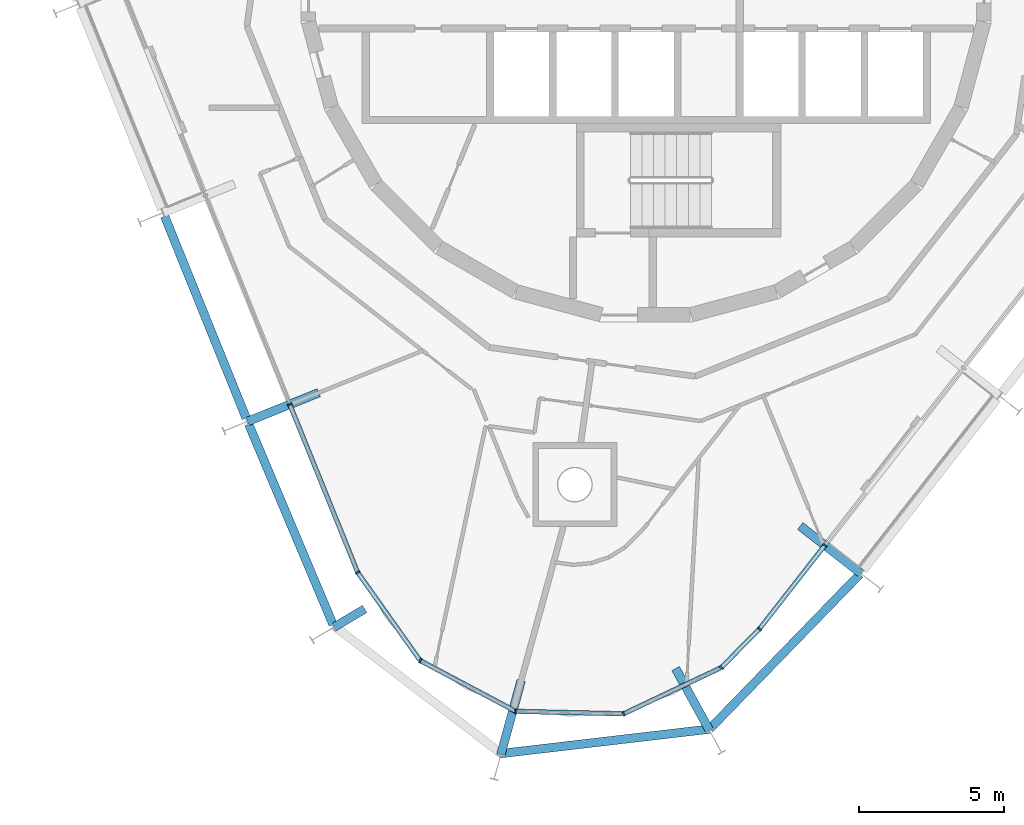
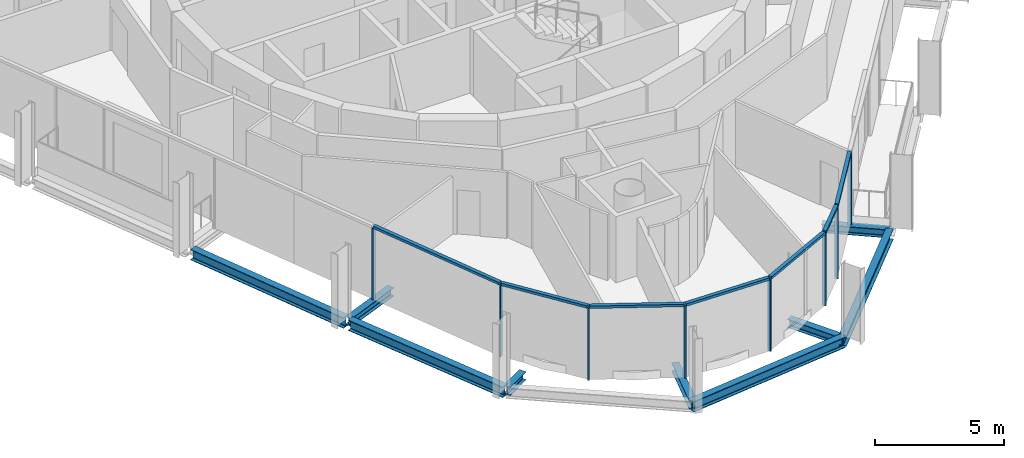
# One storey, part 2 of 15: 15 members, 9 beams, 2 elements without a shape of their own.
"""IFC4 building model written with IfcOpenShell, lengths in metres."""

from ifc_helpers import new_model, si_unit, direction, frame, origin, origin_2d, place, context, subcontext, project, spatial, rectangle, i_section, extrude, material, layer, layer_set, material_profile, profile_set, type_object, element, aggregate, save


model = new_model("IFC4")

# Units and contexts
model_context = context("Model", 3, precision=1e-05, world=origin(), true_north=direction((0.0, 1.0)))
body_context = subcontext(model_context, "Body", "Model", "MODEL_VIEW")
ifc_project = project(units=[si_unit("LENGTHUNIT", "METRE"), si_unit("AREAUNIT", "SQUARE_METRE"), si_unit("VOLUMEUNIT", "CUBIC_METRE"), si_unit("PLANEANGLEUNIT", "RADIAN"), si_unit("MASSUNIT", "GRAM", prefix="KILO")], contexts=[model_context])

# Site, building, storey
site_placement = place(None, origin())
site = spatial("IfcSite", under=ifc_project, at=site_placement, CompositionType="ELEMENT")
building_placement = place(site_placement, origin())
building = spatial("IfcBuilding", under=site, at=building_placement, Name="Spindle Arch Residences", CompositionType="ELEMENT")
storey_placement = place(building_placement, frame((0.0, 0.0, 354.0)))
storey = spatial("IfcBuildingStorey", under=building, at=storey_placement, Name="L91", CompositionType="ELEMENT", Elevation=354.0)

# Curtain wall, members
ifc_material_1 = material(Name="Aluminium bronze unitised frame with tinted glass", Category="aluminium")
ifc_layer_1 = layer(ifc_material_1, 0.159912109375)
ifc_layer_set_1 = layer_set([ifc_layer_1], Name="CW-D corner wall on the fillet arcs")
curtain_wall_type_1 = type_object("IfcCurtainWallType", Name="CW-D corner wall on the fillet arcs", PredefinedType="NOTDEFINED", material=ifc_layer_set_1)
curtain_wall_1_placement = place(storey_placement, origin())
curtain_wall_1 = element("IfcCurtainWall", 1, at=curtain_wall_1_placement, inside=storey, type_object=curtain_wall_type_1, Name="CW-D L91 run 5", PredefinedType="NOTDEFINED")
ifc_material_2 = material(Name="Aluminium bronze anodised mullion", Category="aluminium")
ifc_material_profile_1 = material_profile(ifc_material_2, rectangle(XDim=0.159912109375, YDim=0.06005859375, at=origin_2d()), Name="MU 60x160")
ifc_profile_set_1 = profile_set([ifc_material_profile_1], Name="Aluminium bronze anodised mullion")
member_type_1 = type_object("IfcMemberType", Name="Bronze mullion 60x160", PredefinedType="MULLION", material=ifc_profile_set_1)
member_1_placement = place(storey_placement, frame((-12.292724609375, -14.73779296875, -0.3798828125), z_axis=(0.0, 0.0, 1.0), x_axis=(0.927183854567, 0.374606593416, 0.0)))
member_1 = element("IfcMember", 2, at=member_1_placement, type_object=member_type_1, Name="CW-D mullion 00", PredefinedType="MULLION", context=body_context, shape_type="SweptSolid", body=[
    extrude(rectangle(XDim=0.159912109375, YDim=0.06005859375, at=origin_2d()), origin(), (0.0, 0.0, 1.0), 3.3798828125),
])
member_2_placement = place(storey_placement, frame((-9.951904296875, -20.53173828125, -0.3798828125), z_axis=(0.0, 0.0, 1.0), x_axis=(0.815801266332, 0.578332338584, 0.0)))
member_2 = element("IfcMember", 3, at=member_2_placement, type_object=member_type_1, Name="CW-D mullion 01", PredefinedType="MULLION", context=body_context, shape_type="SweptSolid", body=[
    extrude(rectangle(XDim=0.159912109375, YDim=0.06005859375, at=origin_2d()), origin(), (0.0, 0.0, 1.0), 3.3798828125),
])
member_3_placement = place(storey_placement, frame((-7.79638671875, -23.572021484375, -0.3798828125), z_axis=(0.0, 0.0, 1.0), x_axis=(0.469471563633, 0.882947592408, 0.0)))
member_3 = element("IfcMember", 4, at=member_3_placement, type_object=member_type_1, Name="CW-D mullion 02", PredefinedType="MULLION", context=body_context, shape_type="SweptSolid", body=[
    extrude(rectangle(XDim=0.159912109375, YDim=0.06005859375, at=origin_2d()), origin(), (0.0, 0.0, 1.0), 3.3798828125),
])
member_4_placement = place(storey_placement, frame((-4.505859375, -25.321533203125, -0.3798828125), z_axis=(0.0, 0.0, 1.0), x_axis=(0.023268959422, 0.999729241109, 0.0)))
member_4 = element("IfcMember", 5, at=member_4_placement, type_object=member_type_1, Name="CW-D mullion 03", PredefinedType="MULLION", context=body_context, shape_type="SweptSolid", body=[
    extrude(rectangle(XDim=0.159912109375, YDim=0.06005859375, at=origin_2d()), origin(), (0.0, 0.0, 1.0), 3.3798828125),
])
member_5_placement = place(storey_placement, frame((-0.7802734375, -25.408203125, -0.3798828125), z_axis=(0.0, 0.0, 1.0), x_axis=(-0.427883767902, 0.903833768547, 0.0)))
member_5 = element("IfcMember", 6, at=member_5_placement, type_object=member_type_1, Name="CW-D mullion 04", PredefinedType="MULLION", context=body_context, shape_type="SweptSolid", body=[
    extrude(rectangle(XDim=0.159912109375, YDim=0.06005859375, at=origin_2d()), origin(), (0.0, 0.0, 1.0), 3.3798828125),
])
member_6_placement = place(storey_placement, frame((2.588134765625, -23.813720703125, -0.3798828125), z_axis=(0.0, 0.0, 1.0), x_axis=(-0.711208575748, 0.702981053644, 0.0)))
member_6 = element("IfcMember", 7, at=member_6_placement, type_object=member_type_1, Name="CW-D mullion 05", PredefinedType="MULLION", context=body_context, shape_type="SweptSolid", body=[
    extrude(rectangle(XDim=0.159912109375, YDim=0.06005859375, at=origin_2d()), origin(), (0.0, 0.0, 1.0), 3.3798828125),
])
member_7_placement = place(storey_placement, frame((3.906982421875, -22.479248046875, -0.3798828125), z_axis=(0.0, 0.0, 1.0), x_axis=(-0.788010753607, 0.615661475326, 0.0)))
member_7 = element("IfcMember", 8, at=member_7_placement, type_object=member_type_1, Name="CW-D mullion 06", PredefinedType="MULLION", context=body_context, shape_type="SweptSolid", body=[
    extrude(rectangle(XDim=0.159912109375, YDim=0.06005859375, at=origin_2d()), origin(), (0.0, 0.0, 1.0), 3.3798828125),
])

# Curtain wall, member
ifc_material_3 = material(Name="Aluminium bronze unitised frame with tinted glass", Category="aluminium")
ifc_layer_2 = layer(ifc_material_3, 0.159912109375)
ifc_layer_set_2 = layer_set([ifc_layer_2], Name="CW-C typical residential unitised wall")
curtain_wall_type_2 = type_object("IfcCurtainWallType", Name="CW-C typical residential unitised wall", PredefinedType="NOTDEFINED", material=ifc_layer_set_2)
curtain_wall_2_placement = place(storey_placement, origin())
curtain_wall_2 = element("IfcCurtainWall", 9, at=curtain_wall_2_placement, inside=storey, type_object=curtain_wall_type_2, Name="CW-C L91 run 6", PredefinedType="NOTDEFINED")
member_8_placement = place(storey_placement, frame((6.160400390625, -19.594970703125, -0.3798828125), z_axis=(0.0, 0.0, 1.0), x_axis=(-0.788010753607, 0.615661475326, 0.0)))
member_8 = element("IfcMember", 10, at=member_8_placement, type_object=member_type_1, Name="CW-C mullion 18", PredefinedType="MULLION", context=body_context, shape_type="SweptSolid", body=[
    extrude(rectangle(XDim=0.159912109375, YDim=0.06005859375, at=origin_2d()), origin(), (0.0, 0.0, 1.0), 3.3798828125),
])
aggregate(curtain_wall_2, [member_8])

# Member
ifc_material_4 = material(Name="Aluminium bronze anodised transom", Category="aluminium")
ifc_material_profile_2 = material_profile(ifc_material_4, rectangle(XDim=0.159912109375, YDim=0.1201171875, at=origin_2d()), Name="TR 120x160")
ifc_profile_set_2 = profile_set([ifc_material_profile_2], Name="Aluminium bronze anodised transom")
member_type_2 = type_object("IfcMemberType", Name="Bronze transom 120x160", PredefinedType="USERDEFINED", material=ifc_profile_set_2)
member_9_placement = place(storey_placement, frame((-12.28125, -14.765625, 3.06005859375), z_axis=(0.374564798487, -0.927200739719, 0.0), x_axis=(0.927200739719, 0.374564798487, 0.0)))
member_9 = element("IfcMember", 11, at=member_9_placement, type_object=member_type_2, Name="CW-D transom 00", ObjectType="TRANSOM", PredefinedType="USERDEFINED", context=body_context, shape_type="SweptSolid", body=[
    extrude(rectangle(XDim=0.159912109375, YDim=0.1201171875, at=origin_2d()), origin(), (0.0, 0.0, 1.0), 6.188720703125),
])

member_10_placement = place(storey_placement, frame((-9.934326171875, -20.55615234375, 3.06005859375), z_axis=(0.578349828601, -0.815788867145, 0.0), x_axis=(0.815788867145, 0.578349828601, 0.0)))
member_10 = element("IfcMember", 12, at=member_10_placement, type_object=member_type_2, Name="CW-D transom 01", ObjectType="TRANSOM", PredefinedType="USERDEFINED", context=body_context, shape_type="SweptSolid", body=[
    extrude(rectangle(XDim=0.159912109375, YDim=0.1201171875, at=origin_2d()), origin(), (0.0, 0.0, 1.0), 3.666748046875),
])

member_11_placement = place(storey_placement, frame((-7.77001953125, -23.5859375, 3.06005859375), z_axis=(0.882947559001, -0.469471626463, 0.0), x_axis=(0.469471626463, 0.882947559001, 0.0)))
member_11 = element("IfcMember", 13, at=member_11_placement, type_object=member_type_2, Name="CW-D transom 02", ObjectType="TRANSOM", PredefinedType="USERDEFINED", context=body_context, shape_type="SweptSolid", body=[
    extrude(rectangle(XDim=0.159912109375, YDim=0.1201171875, at=origin_2d()), origin(), (0.0, 0.0, 1.0), 3.666748046875),
])

member_12_placement = place(storey_placement, frame((-4.47607421875, -25.322265625, 3.06005859375), z_axis=(0.999729981043, -0.023237147079, 0.0), x_axis=(0.023237147079, 0.999729981043, 0.0)))
member_12 = element("IfcMember", 14, at=member_12_placement, type_object=member_type_2, Name="CW-D transom 03", ObjectType="TRANSOM", PredefinedType="USERDEFINED", context=body_context, shape_type="SweptSolid", body=[
    extrude(rectangle(XDim=0.159912109375, YDim=0.1201171875, at=origin_2d()), origin(), (0.0, 0.0, 1.0), 3.666748046875),
])

member_13_placement = place(storey_placement, frame((-0.753173828125, -25.3955078125, 3.06005859375), z_axis=(0.903821874806, 0.427908890562, 0.0), x_axis=(-0.427908890562, 0.903821874806, 0.0)))
member_13 = element("IfcMember", 15, at=member_13_placement, type_object=member_type_2, Name="CW-D transom 04", ObjectType="TRANSOM", PredefinedType="USERDEFINED", context=body_context, shape_type="SweptSolid", body=[
    extrude(rectangle(XDim=0.159912109375, YDim=0.1201171875, at=origin_2d()), origin(), (0.0, 0.0, 1.0), 3.6669921875),
])

member_14_placement = place(storey_placement, frame((2.609130859375, -23.792236328125, 3.06005859375), z_axis=(0.703062417903, 0.711128143539, 0.0), x_axis=(-0.711128143539, 0.703062417903, 0.0)))
member_14 = element("IfcMember", 16, at=member_14_placement, type_object=member_type_2, Name="CW-D transom 05", ObjectType="TRANSOM", PredefinedType="USERDEFINED", context=body_context, shape_type="SweptSolid", body=[
    extrude(rectangle(XDim=0.159912109375, YDim=0.1201171875, at=origin_2d()), origin(), (0.0, 0.0, 1.0), 1.816162109375),
])

member_15_placement = place(storey_placement, frame((3.925537109375, -22.455810546875, 3.06005859375), z_axis=(0.615647989673, 0.788021289568, 0.0), x_axis=(-0.788021289568, 0.615647989673, 0.0)))
member_15 = element("IfcMember", 17, at=member_15_placement, type_object=member_type_2, Name="CW-D transom 06", ObjectType="TRANSOM", PredefinedType="USERDEFINED", context=body_context, shape_type="SweptSolid", body=[
    extrude(rectangle(XDim=0.159912109375, YDim=0.1201171875, at=origin_2d()), origin(), (0.0, 0.0, 1.0), 3.600341796875),
])

aggregate(curtain_wall_1, [member_1, member_9, member_2, member_10, member_3, member_11, member_4, member_12, member_5, member_13, member_6, member_14, member_7, member_15])

# Beams
ifc_material_5 = material(Name="Steel S460ML, intumescent coating R 120", Category="steel")
ifc_material_profile_3 = material_profile(ifc_material_5, i_section(OverallWidth=0.300048828125, OverallDepth=0.5, WebThickness=0.014404296875, FlangeThickness=0.028076171875, FilletRadius=0.027099609375, at=origin_2d()), Name="HEB 500")
ifc_profile_set_3 = profile_set([ifc_material_profile_3], Name="Steel S460ML, intumescent coating R 120")
beam_type_1 = type_object("IfcBeamType", Name="Exoskeleton edge beam HEB 500", PredefinedType="BEAM", material=ifc_profile_set_3)
beam_1_placement = place(storey_placement, frame((-16.608642578125, -8.24658203125, -0.6298828125), z_axis=(0.374596427458, -0.927187961816, 0.0), x_axis=(0.927187961816, 0.374596427458, 0.0)))
element("IfcBeam", 18, at=beam_1_placement, inside=storey, type_object=beam_type_1, Name="Exoskeleton edge beam 14", PredefinedType="BEAM", context=body_context, shape_type="SweptSolid", body=[
    extrude(i_section(OverallWidth=0.300048828125, OverallDepth=0.5, WebThickness=0.014404296875, FlangeThickness=0.028076171875, FilletRadius=0.027099609375, at=origin_2d()), origin(), (0.0, 0.0, 1.0), 7.50537109375),
])
beam_2_placement = place(storey_placement, frame((-13.711669921875, -15.4150390625, -0.6298828125), z_axis=(0.388148671876, -0.92159677111, 0.0), x_axis=(0.92159677111, 0.388148671876, 0.0)))
element("IfcBeam", 19, at=beam_2_placement, inside=storey, type_object=beam_type_1, Name="Exoskeleton edge beam 15", PredefinedType="BEAM", context=body_context, shape_type="SweptSolid", body=[
    extrude(i_section(OverallWidth=0.300048828125, OverallDepth=0.5, WebThickness=0.014404296875, FlangeThickness=0.028076171875, FilletRadius=0.027099609375, at=origin_2d()), origin(), (0.0, 0.0, 1.0), 7.500732421875),
])
beam_3_placement = place(storey_placement, frame((-5.0556640625, -26.78271484375, -0.6298828125), z_axis=(0.993205848316, 0.116370713117, 0.0), x_axis=(-0.116370713117, 0.993205848316, 0.0)))
element("IfcBeam", 20, at=beam_3_placement, inside=storey, type_object=beam_type_1, Name="Exoskeleton edge beam 17", PredefinedType="BEAM", context=body_context, shape_type="SweptSolid", body=[
    extrude(i_section(OverallWidth=0.300048828125, OverallDepth=0.5, WebThickness=0.014404296875, FlangeThickness=0.028076171875, FilletRadius=0.027099609375, at=origin_2d()), origin(), (0.0, 0.0, 1.0), 7.315673828125),
])
beam_4_placement = place(storey_placement, frame((2.19091796875, -25.927001953125, -0.6298828125), z_axis=(0.696374951776, 0.717678149688, 0.0), x_axis=(-0.717678149688, 0.696374951776, 0.0)))
element("IfcBeam", 21, at=beam_4_placement, inside=storey, type_object=beam_type_1, Name="Exoskeleton edge beam 18", PredefinedType="BEAM", context=body_context, shape_type="SweptSolid", body=[
    extrude(i_section(OverallWidth=0.300048828125, OverallDepth=0.5, WebThickness=0.014404296875, FlangeThickness=0.028076171875, FilletRadius=0.027099609375, at=origin_2d()), origin(), (0.0, 0.0, 1.0), 7.437744140625),
])
ifc_material_6 = material(Name="Steel S460ML, intumescent coating R 120", Category="steel")
ifc_material_profile_4 = material_profile(ifc_material_6, i_section(OverallWidth=0.300048828125, OverallDepth=0.389892578125, WebThickness=0.010986328125, FlangeThickness=0.01904296875, FilletRadius=0.027099609375, at=origin_2d()), Name="HEA 400")
ifc_profile_set_4 = profile_set([ifc_material_profile_4], Name="Steel S460ML, intumescent coating R 120")
beam_type_2 = type_object("IfcBeamType", Name="Floor outrigger HEA 400", PredefinedType="BEAM", material=ifc_profile_set_4)
beam_5_placement = place(storey_placement, frame((-13.748291015625, -15.325927734375, -0.574951171875), z_axis=(0.927187692393, 0.374597094323, 0.0), x_axis=(-0.374597094323, 0.927187692393, 0.0)))
element("IfcBeam", 22, at=beam_5_placement, inside=storey, type_object=beam_type_2, Name="Floor outrigger 15", PredefinedType="BEAM", context=body_context, shape_type="SweptSolid", body=[
    extrude(i_section(OverallWidth=0.300048828125, OverallDepth=0.389892578125, WebThickness=0.010986328125, FlangeThickness=0.01904296875, FilletRadius=0.027099609375, at=origin_2d()), origin(), (0.0, 0.0, 1.0), 2.64990234375),
])
beam_6_placement = place(storey_placement, frame((-10.765869140625, -22.417724609375, -0.574951171875), z_axis=(0.860752508727, 0.509023691709, 0.0), x_axis=(-0.509023691709, 0.860752508727, 0.0)))
element("IfcBeam", 23, at=beam_6_placement, inside=storey, type_object=beam_type_2, Name="Floor outrigger 16", PredefinedType="BEAM", context=body_context, shape_type="SweptSolid", body=[
    extrude(i_section(OverallWidth=0.300048828125, OverallDepth=0.389892578125, WebThickness=0.010986328125, FlangeThickness=0.01904296875, FilletRadius=0.027099609375, at=origin_2d()), origin(), (0.0, 0.0, 1.0), 1.229248046875),
])
beam_7_placement = place(storey_placement, frame((-5.01318359375, -26.810791015625, -0.574951171875), z_axis=(0.2645204188, 0.964380084841, 0.0), x_axis=(-0.964380084841, 0.2645204188, 0.0)))
element("IfcBeam", 24, at=beam_7_placement, inside=storey, type_object=beam_type_2, Name="Floor outrigger 17", PredefinedType="BEAM", context=body_context, shape_type="SweptSolid", body=[
    extrude(i_section(OverallWidth=0.300048828125, OverallDepth=0.389892578125, WebThickness=0.010986328125, FlangeThickness=0.01904296875, FilletRadius=0.027099609375, at=origin_2d()), origin(), (0.0, 0.0, 1.0), 2.64990234375),
])
beam_8_placement = place(storey_placement, frame((2.175537109375, -25.968505859375, -0.574951171875), z_axis=(-0.48032201602, 0.877092219169, 0.0), x_axis=(-0.877092219169, -0.48032201602, 0.0)))
element("IfcBeam", 25, at=beam_8_placement, inside=storey, type_object=beam_type_2, Name="Floor outrigger 18", PredefinedType="BEAM", context=body_context, shape_type="SweptSolid", body=[
    extrude(i_section(OverallWidth=0.300048828125, OverallDepth=0.389892578125, WebThickness=0.010986328125, FlangeThickness=0.01904296875, FilletRadius=0.027099609375, at=origin_2d()), origin(), (0.0, 0.0, 1.0), 2.41943359375),
])
beam_9_placement = place(storey_placement, frame((7.397705078125, -20.561767578125, -0.574951171875), z_axis=(-0.788015993799, 0.615654768127, 0.0), x_axis=(-0.615654768127, -0.788015993799, 0.0)))
element("IfcBeam", 26, at=beam_9_placement, inside=storey, type_object=beam_type_2, Name="Floor outrigger 19", PredefinedType="BEAM", context=body_context, shape_type="SweptSolid", body=[
    extrude(i_section(OverallWidth=0.300048828125, OverallDepth=0.389892578125, WebThickness=0.010986328125, FlangeThickness=0.01904296875, FilletRadius=0.027099609375, at=origin_2d()), origin(), (0.0, 0.0, 1.0), 2.650146484375),
])

save(model, "model.ifc")
